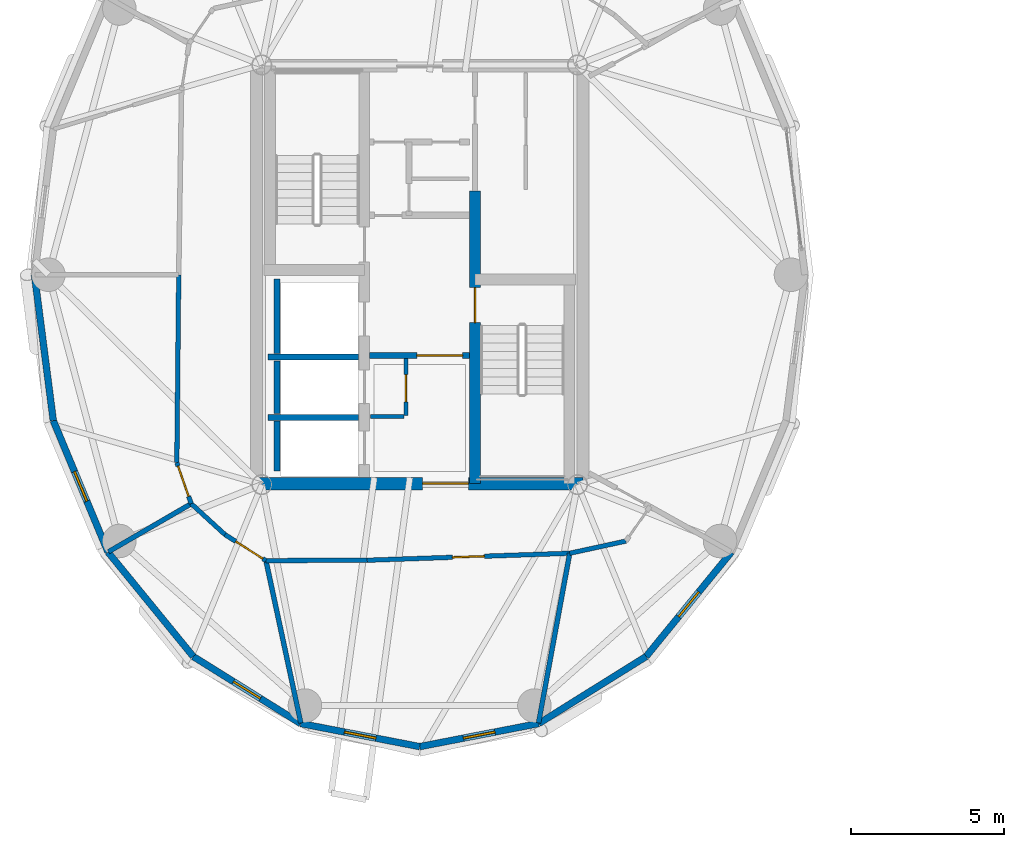
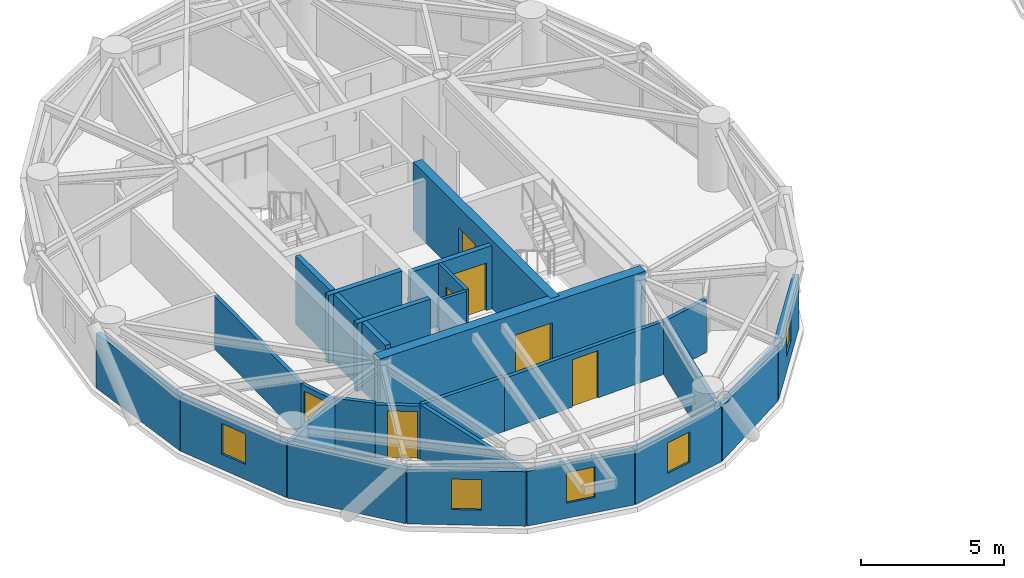
# One storey, part 8 of 16: 28 walls, 7 doors, 5 windows, 12 openings.
"""IFC4 building model written with IfcOpenShell, lengths in metres."""

from ifc_helpers import new_model, si_unit, direction, frame, frame_2d, origin, place, context, subcontext, project, spatial, rectangle, extrude, source, transform, mapped, material, layer, layer_set, type_object, element, fill, save


model = new_model("IFC4")

# Units and contexts
model_context = context("Model", 3, precision=1e-05, world=origin(), true_north=direction((0.0, 1.0)))
body_context = subcontext(model_context, "Body", "Model", "MODEL_VIEW")
ifc_project = project(units=[si_unit("LENGTHUNIT", "METRE"), si_unit("AREAUNIT", "SQUARE_METRE"), si_unit("VOLUMEUNIT", "CUBIC_METRE"), si_unit("PLANEANGLEUNIT", "RADIAN"), si_unit("MASSUNIT", "GRAM", prefix="KILO")], contexts=[model_context])

# Site, building, storey
site_placement = place(None, origin())
site = spatial("IfcSite", under=ifc_project, at=site_placement, CompositionType="ELEMENT")
building_placement = place(site_placement, origin())
building = spatial("IfcBuilding", under=site, at=building_placement, Name="Cununo Teusaquillo Station Towers", CompositionType="ELEMENT")
storey_placement = place(building_placement, frame((0.0, 0.0, 211.2099609375)))
storey = spatial("IfcBuildingStorey", under=building, at=storey_placement, Name="L67", CompositionType="ELEMENT", Elevation=211.2099609375)

# Walls
ifc_material_1 = material(Name="Concrete C50/60", Category="concrete")
ifc_layer_1 = layer(ifc_material_1, 0.199951171875)
ifc_layer_set_1 = layer_set([ifc_layer_1], Name="Concrete C50/60")
wall_type_1 = type_object("IfcWallType", Name="WL-CORE-200", PredefinedType="SHEAR", material=ifc_layer_set_1)
wall_1_placement = place(storey_placement, frame((11.52001953125, 21.800048828125, 0.0), z_axis=(0.0, 0.0, 1.0), x_axis=(1.0, 0.0, 0.0)))
element("IfcWall", 1, at=wall_1_placement, inside=storey, type_object=wall_type_1, Name="L67 Tower A Firefighting Lift Shaft South Shear Wall", PredefinedType="SHEAR", context=body_context, shape_type="SweptSolid", body=[
    extrude(rectangle(XDim=2.969970703125, YDim=0.199951171875, at=frame_2d((1.48486328125, 0.0))), origin(), (0.0, 0.0, 1.0), 2.91015625),
])
wall_2_placement = place(storey_placement, frame((11.820068359375, 21.919921875, 0.0), z_axis=(0.0, 0.0, 1.0), x_axis=(0.0, 1.0, 0.0)))
element("IfcWall", 2, at=wall_2_placement, inside=storey, type_object=wall_type_1, Name="L67 Tower A Firefighting Lift Shaft Rear Shear Wall", PredefinedType="SHEAR", context=body_context, shape_type="SweptSolid", body=[
    extrude(rectangle(XDim=2.440185546875, YDim=0.199951171875, at=frame_2d((1.22021484375, 0.0))), origin(), (0.0, 0.0, 1.0), 2.91015625),
])
wall_3_placement = place(storey_placement, frame((11.52001953125, 19.824951171875, 0.0), z_axis=(0.0, 0.0, 1.0), x_axis=(1.0, 0.0, 0.0)))
element("IfcWall", 3, at=wall_3_placement, inside=storey, type_object=wall_type_1, Name="L67 Tower A High-Rise Lift Hoistway Divider Shear Wall", PredefinedType="SHEAR", context=body_context, shape_type="SweptSolid", body=[
    extrude(rectangle(XDim=2.969970703125, YDim=0.199951171875, at=frame_2d((1.48486328125, 0.0))), origin(), (0.0, 0.0, 1.0), 2.91015625),
])
wall_4_placement = place(storey_placement, frame((11.820068359375, 19.945068359375, 0.0), z_axis=(0.0, 0.0, 1.0), x_axis=(0.0, 1.0, 0.0)))
element("IfcWall", 4, at=wall_4_placement, inside=storey, type_object=wall_type_1, Name="L67 Tower A High-Rise Lift 2 Shaft Rear Shear Wall", PredefinedType="SHEAR", context=body_context, shape_type="SweptSolid", body=[
    extrude(rectangle(XDim=1.73486328125, YDim=0.199951171875, at=frame_2d((0.867431640625, 0.0))), origin(), (0.0, 0.0, 1.0), 2.91015625),
])
wall_5_placement = place(storey_placement, frame((11.820068359375, 18.070068359375, 0.0), z_axis=(0.0, 0.0, 1.0), x_axis=(0.0, 1.0, 0.0)))
element("IfcWall", 5, at=wall_5_placement, inside=storey, type_object=wall_type_1, Name="L67 Tower A High-Rise Lift 1 Shaft Rear Shear Wall", PredefinedType="SHEAR", context=body_context, shape_type="SweptSolid", body=[
    extrude(rectangle(XDim=1.635009765625, YDim=0.199951171875, at=frame_2d((0.8173828125, 0.0))), origin(), (0.0, 0.0, 1.0), 2.91015625),
])

# Wall, opening, door
ifc_material_2 = material(Name="Concrete C50/60", Category="concrete")
ifc_layer_2 = layer(ifc_material_2, 0.35009765625)
ifc_layer_set_2 = layer_set([ifc_layer_2], Name="Concrete C50/60")
wall_type_2 = type_object("IfcWallType", Name="WL-CORE-350", PredefinedType="SHEAR", material=ifc_layer_set_2)
wall_6_placement = place(storey_placement, frame((18.31494140625, 17.64990234375, 0.0), z_axis=(0.0, 0.0, 1.0), x_axis=(0.0, 1.0, 0.0)))
wall_6 = element("IfcWall", 6, at=wall_6_placement, inside=storey, type_object=wall_type_2, Name="L67 Tower A Core Shear Wall IE", PredefinedType="SHEAR", context=body_context, shape_type="SweptSolid", body=[
    extrude(rectangle(XDim=9.60009765625, YDim=0.35009765625, at=frame_2d((4.800048828125, 0.0))), origin(), (0.0, 0.0, 1.0), 2.91015625),
])
shared_shape_1 = source(origin(), body_context, "Body", "SweptSolid", [
    extrude(rectangle(XDim=1.14990234375, YDim=2.02001953125, at=frame_2d((0.574951171875, 1.010009765625))), frame((0.0, 0.18505859375, 0.0), z_axis=(0.0, -1.0, 0.0), x_axis=(1.0, 0.0, 0.0)), (0.0, 0.0, 1.0), 0.3701171875),
])
opening_1_placement = place(wall_6_placement, frame((5.280029296875, 0.0, 0.0)))
opening_1 = element("IfcOpeningElement", 7, at=opening_1_placement, cuts=wall_6, Name="Opening D-ST1", PredefinedType="OPENING", context=body_context, shape_type="MappedRepresentation", body=[
    mapped(shared_shape_1, transform((0.0, 0.0, 0.0), x_axis=(1.0, 0.0, 0.0), y_axis=(0.0, 1.0, 0.0), z_axis=(0.0, 0.0, 1.0), scale=1.0)),
])
ifc_material_3 = material(Name="Galvanised fire-rated hollow steel door assembly", Category="steel")
door_type_1 = type_object("IfcDoorType", Name="DR-STAIR-1150", OperationType="NOTDEFINED", PredefinedType="DOOR", material=ifc_material_3)
shared_shape_2 = source(origin(), body_context, "Body", "SweptSolid", [
    extrude(rectangle(XDim=1.14990234375, YDim=2.02001953125, at=frame_2d((0.574951171875, 1.010009765625))), frame((0.0, 0.02490234375, 0.0), z_axis=(0.0, -1.0, 0.0), x_axis=(1.0, 0.0, 0.0)), (0.0, 0.0, 1.0), 0.050048828125),
])
door_1_placement = place(opening_1_placement, origin())
door_1 = element("IfcDoor", 8, at=door_1_placement, inside=storey, type_object=door_type_1, Name="L67 Tower A Exit Stair 2 Fire Door", OperationType="SINGLE_SWING_LEFT", OverallHeight=2.02001953125, OverallWidth=1.14990234375, PredefinedType="DOOR", context=body_context, shape_type="MappedRepresentation", body=[
    mapped(shared_shape_2, transform((0.0, 0.0, 0.0), x_axis=(1.0, 0.0, 0.0), y_axis=(0.0, 1.0, 0.0), z_axis=(0.0, 0.0, 1.0), scale=1.0)),
])
fill(opening_1, door_1)

ifc_material_4 = material(Name="Concrete C50/60", Category="concrete")
ifc_layer_3 = layer(ifc_material_4, 0.39990234375)
ifc_layer_set_3 = layer_set([ifc_layer_3], Name="Concrete C50/60")
wall_type_3 = type_object("IfcWallType", Name="WL-CORE-400", PredefinedType="SHEAR", material=ifc_layer_set_3)
wall_7_placement = place(storey_placement, frame((11.14990234375, 17.64990234375, 0.0), z_axis=(0.0, 0.0, 1.0), x_axis=(1.0, 0.0, 0.0)))
wall_7 = element("IfcWall", 9, at=wall_7_placement, inside=storey, type_object=wall_type_3, Name="L67 Tower A Core Shear Wall S", PredefinedType="SHEAR", context=body_context, shape_type="SweptSolid", body=[
    extrude(rectangle(XDim=10.7001953125, YDim=0.39990234375, at=frame_2d((5.35009765625, 0.0))), origin(), (0.0, 0.0, 1.0), 2.91015625),
])
shared_shape_3 = source(origin(), body_context, "Body", "SweptSolid", [
    extrude(rectangle(XDim=1.5, YDim=2.02001953125, at=frame_2d((0.75, 1.010009765625))), frame((0.0, 0.2099609375, 0.0), z_axis=(0.0, -1.0, 0.0), x_axis=(1.0, 0.0, 0.0)), (0.0, 0.0, 1.0), 0.419921875),
])
opening_2_placement = place(wall_7_placement, frame((5.449951171875, 0.0, 0.0)))
opening_2 = element("IfcOpeningElement", 10, at=opening_2_placement, cuts=wall_7, Name="Opening D-LB1", PredefinedType="OPENING", context=body_context, shape_type="MappedRepresentation", body=[
    mapped(shared_shape_3, transform((0.0, 0.0, 0.0), x_axis=(1.0, 0.0, 0.0), y_axis=(0.0, 1.0, 0.0), z_axis=(0.0, 0.0, 1.0), scale=1.0)),
])
ifc_material_5 = material(Name="Galvanised fire-rated hollow steel door assembly", Category="steel")
door_type_2 = type_object("IfcDoorType", Name="DR-LOBBY-1500", OperationType="DOUBLE_DOOR_SINGLE_SWING", PredefinedType="DOOR", material=ifc_material_5)
shared_shape_4 = source(origin(), body_context, "Body", "SweptSolid", [
    extrude(rectangle(XDim=1.5, YDim=2.02001953125, at=frame_2d((0.75, 1.010009765625))), frame((0.0, 0.02490234375, 0.0), z_axis=(0.0, -1.0, 0.0), x_axis=(1.0, 0.0, 0.0)), (0.0, 0.0, 1.0), 0.050048828125),
])
door_2_placement = place(opening_2_placement, origin())
door_2 = element("IfcDoor", 11, at=door_2_placement, inside=storey, type_object=door_type_2, Name="L67 Tower A South Core Lift Lobby Door", OperationType="DOUBLE_DOOR_SINGLE_SWING", OverallHeight=2.02001953125, OverallWidth=1.5, PredefinedType="DOOR", context=body_context, shape_type="MappedRepresentation", body=[
    mapped(shared_shape_4, transform((0.0, 0.0, 0.0), x_axis=(1.0, 0.0, 0.0), y_axis=(0.0, 1.0, 0.0), z_axis=(0.0, 0.0, 1.0), scale=1.0)),
])
fill(opening_2, door_2)

# Wall
ifc_material_6 = material(Name="Precast concrete C40/50", Category="concrete")
ifc_layer_4 = layer(ifc_material_6, 0.219970703125)
ifc_layer_set_4 = layer_set([ifc_layer_4], Name="Precast concrete C40/50")
wall_type_4 = type_object("IfcWallType", Name="WL-EXT-220", PredefinedType="SOLIDWALL", material=ifc_layer_set_4)
wall_8_placement = place(storey_placement, frame((4.48828125, 19.719482421875, 0.0), z_axis=(0.0, 0.0, 1.0), x_axis=(-0.128241318541, 0.991742993027, 0.0)))
element("IfcWall", 12, at=wall_8_placement, inside=storey, type_object=wall_type_4, Name="L67 Tower A Exterior Facade Wall C10", PredefinedType="SOLIDWALL", context=body_context, shape_type="SweptSolid", body=[
    extrude(rectangle(XDim=4.8203125, YDim=0.219970703125, at=frame_2d((2.41015625, 0.0))), origin(), (0.0, 0.0, 1.0), 2.322021484375),
])

# Wall, opening, window
wall_9_placement = place(storey_placement, frame((6.281982421875, 15.406982421875, 0.0), z_axis=(0.0, 0.0, 1.0), x_axis=(-0.384036305194, 0.923317993052, 0.0)))
wall_9 = element("IfcWall", 13, at=wall_9_placement, inside=storey, type_object=wall_type_4, Name="L67 Tower A Exterior Facade Wall C11", PredefinedType="SOLIDWALL", context=body_context, shape_type="SweptSolid", body=[
    extrude(rectangle(XDim=4.670654296875, YDim=0.219970703125, at=frame_2d((2.33544921875, 0.0))), origin(), (0.0, 0.0, 1.0), 2.322021484375),
])
shared_shape_5 = source(origin(), body_context, "Body", "SweptSolid", [
    extrude(rectangle(XDim=1.050048828125, YDim=1.300048828125, at=frame_2d((0.52490234375, 0.64990234375))), frame((0.0, 0.119873046875, 0.0), z_axis=(0.0, -1.0, 0.0), x_axis=(1.0, 0.0, 0.0)), (0.0, 0.0, 1.0), 0.239990234375),
])
opening_3_placement = place(wall_9_placement, frame((1.81005859375, 0.0, 0.64990234375)))
opening_3 = element("IfcOpeningElement", 14, at=opening_3_placement, cuts=wall_9, Name="Opening WN-04", PredefinedType="OPENING", context=body_context, shape_type="MappedRepresentation", body=[
    mapped(shared_shape_5, transform((0.0, 0.0, 0.0), x_axis=(1.0, 0.0, 0.0), y_axis=(0.0, 1.0, 0.0), z_axis=(0.0, 0.0, 1.0), scale=1.0)),
])
ifc_material_7 = material(Name="Operable acoustic tinted low-E double glazing", Category="glass")
window_type = type_object("IfcWindowType", Name="WIN-BAL-1050", PartitioningType="SINGLE_PANEL", PredefinedType="WINDOW", material=ifc_material_7)
shared_shape_6 = source(origin(), body_context, "Body", "SweptSolid", [
    extrude(rectangle(XDim=1.050048828125, YDim=1.300048828125, at=frame_2d((0.52490234375, 0.64990234375))), frame((0.0, 0.030029296875, 0.0), z_axis=(0.0, -1.0, 0.0), x_axis=(1.0, 0.0, 0.0)), (0.0, 0.0, 1.0), 0.06005859375),
])
window_1_placement = place(opening_3_placement, origin())
window_1 = element("IfcWindow", 15, at=window_1_placement, inside=storey, type_object=window_type, Name="L67 Tower A Facade Window C11", OverallHeight=1.300048828125, OverallWidth=1.050048828125, PartitioningType="SINGLE_PANEL", PredefinedType="WINDOW", context=body_context, shape_type="MappedRepresentation", body=[
    mapped(shared_shape_6, transform((0.0, 0.0, 0.0), x_axis=(1.0, 0.0, 0.0), y_axis=(0.0, 1.0, 0.0), z_axis=(0.0, 0.0, 1.0), scale=1.0)),
])
fill(opening_3, window_1)

# Wall
wall_10_placement = place(storey_placement, frame((9.076416015625, 11.984619140625, 0.0), z_axis=(0.0, 0.0, 1.0), x_axis=(-0.632467166636, 0.774587169483, 0.0)))
element("IfcWall", 16, at=wall_10_placement, inside=storey, type_object=wall_type_4, Name="L67 Tower A Exterior Facade Wall C12", PredefinedType="SOLIDWALL", context=body_context, shape_type="SweptSolid", body=[
    extrude(rectangle(XDim=4.418212890625, YDim=0.219970703125, at=frame_2d((2.208984375, 0.0))), origin(), (0.0, 0.0, 1.0), 2.322021484375),
])

# Wall, opening, window
wall_11_placement = place(storey_placement, frame((12.59716796875, 9.787109375, 0.0), z_axis=(0.0, 0.0, 1.0), x_axis=(-0.848318713376, 0.529485939886, 0.0)))
wall_11 = element("IfcWall", 17, at=wall_11_placement, inside=storey, type_object=wall_type_4, Name="L67 Tower A Exterior Facade Wall C13", PredefinedType="SOLIDWALL", context=body_context, shape_type="SweptSolid", body=[
    extrude(rectangle(XDim=4.150390625, YDim=0.219970703125, at=frame_2d((2.0751953125, 0.0))), origin(), (0.0, 0.0, 1.0), 2.322021484375),
])
opening_4_placement = place(wall_11_placement, frame((1.550048828125, 0.0, 0.64990234375)))
opening_4 = element("IfcOpeningElement", 18, at=opening_4_placement, cuts=wall_11, Name="Opening WN-04", PredefinedType="OPENING", context=body_context, shape_type="MappedRepresentation", body=[
    mapped(shared_shape_5, transform((0.0, 0.0, 0.0), x_axis=(1.0, 0.0, 0.0), y_axis=(0.0, 1.0, 0.0), z_axis=(0.0, 0.0, 1.0), scale=1.0)),
])
window_2_placement = place(opening_4_placement, origin())
window_2 = element("IfcWindow", 19, at=window_2_placement, inside=storey, type_object=window_type, Name="L67 Tower A Facade Window C13", OverallHeight=1.300048828125, OverallWidth=1.050048828125, PartitioningType="SINGLE_PANEL", PredefinedType="WINDOW", context=body_context, shape_type="MappedRepresentation", body=[
    mapped(shared_shape_6, transform((0.0, 0.0, 0.0), x_axis=(1.0, 0.0, 0.0), y_axis=(0.0, 1.0, 0.0), z_axis=(0.0, 0.0, 1.0), scale=1.0)),
])
fill(opening_4, window_2)

wall_12_placement = place(storey_placement, frame((16.5, 9.030029296875, 0.0), z_axis=(0.0, 0.0, 1.0), x_axis=(-0.981700307484, 0.190432419211, 0.0)))
wall_12 = element("IfcWall", 20, at=wall_12_placement, inside=storey, type_object=wall_type_4, Name="L67 Tower A Exterior Facade Wall C14", PredefinedType="SOLIDWALL", context=body_context, shape_type="SweptSolid", body=[
    extrude(rectangle(XDim=3.9755859375, YDim=0.219970703125, at=frame_2d((1.98779296875, 0.0))), origin(), (0.0, 0.0, 1.0), 2.322021484375),
])
opening_5_placement = place(wall_12_placement, frame((1.462890625, 0.0, 0.64990234375)))
opening_5 = element("IfcOpeningElement", 21, at=opening_5_placement, cuts=wall_12, Name="Opening WN-04", PredefinedType="OPENING", context=body_context, shape_type="MappedRepresentation", body=[
    mapped(shared_shape_5, transform((0.0, 0.0, 0.0), x_axis=(1.0, 0.0, 0.0), y_axis=(0.0, 1.0, 0.0), z_axis=(0.0, 0.0, 1.0), scale=1.0)),
])
window_3_placement = place(opening_5_placement, origin())
window_3 = element("IfcWindow", 22, at=window_3_placement, inside=storey, type_object=window_type, Name="L67 Tower A Facade Window C14", OverallHeight=1.300048828125, OverallWidth=1.050048828125, PartitioningType="SINGLE_PANEL", PredefinedType="WINDOW", context=body_context, shape_type="MappedRepresentation", body=[
    mapped(shared_shape_6, transform((0.0, 0.0, 0.0), x_axis=(1.0, 0.0, 0.0), y_axis=(0.0, 1.0, 0.0), z_axis=(0.0, 0.0, 1.0), scale=1.0)),
])
fill(opening_5, window_3)

wall_13_placement = place(storey_placement, frame((20.40283203125, 9.787109375, 0.0), z_axis=(0.0, 0.0, 1.0), x_axis=(-0.981700307484, -0.190432419211, 0.0)))
wall_13 = element("IfcWall", 23, at=wall_13_placement, inside=storey, type_object=wall_type_4, Name="L67 Tower A Exterior Facade Wall C15", PredefinedType="SOLIDWALL", context=body_context, shape_type="SweptSolid", body=[
    extrude(rectangle(XDim=3.9755859375, YDim=0.219970703125, at=frame_2d((1.98779296875, 0.0))), origin(), (0.0, 0.0, 1.0), 2.322021484375),
])
opening_6_placement = place(wall_13_placement, frame((1.462890625, 0.0, 0.64990234375)))
opening_6 = element("IfcOpeningElement", 24, at=opening_6_placement, cuts=wall_13, Name="Opening WN-04", PredefinedType="OPENING", context=body_context, shape_type="MappedRepresentation", body=[
    mapped(shared_shape_5, transform((0.0, 0.0, 0.0), x_axis=(1.0, 0.0, 0.0), y_axis=(0.0, 1.0, 0.0), z_axis=(0.0, 0.0, 1.0), scale=1.0)),
])
window_4_placement = place(opening_6_placement, origin())
window_4 = element("IfcWindow", 25, at=window_4_placement, inside=storey, type_object=window_type, Name="L67 Tower A Facade Window C15", OverallHeight=1.300048828125, OverallWidth=1.050048828125, PartitioningType="SINGLE_PANEL", PredefinedType="WINDOW", context=body_context, shape_type="MappedRepresentation", body=[
    mapped(shared_shape_6, transform((0.0, 0.0, 0.0), x_axis=(1.0, 0.0, 0.0), y_axis=(0.0, 1.0, 0.0), z_axis=(0.0, 0.0, 1.0), scale=1.0)),
])
fill(opening_6, window_4)

# Wall
wall_14_placement = place(storey_placement, frame((23.923583984375, 11.984619140625, 0.0), z_axis=(0.0, 0.0, 1.0), x_axis=(-0.848318713376, -0.529485939886, 0.0)))
element("IfcWall", 26, at=wall_14_placement, inside=storey, type_object=wall_type_4, Name="L67 Tower A Exterior Facade Wall C16", PredefinedType="SOLIDWALL", context=body_context, shape_type="SweptSolid", body=[
    extrude(rectangle(XDim=4.150390625, YDim=0.219970703125, at=frame_2d((2.0751953125, 0.0))), origin(), (0.0, 0.0, 1.0), 2.322021484375),
])

# Wall, opening, window
wall_15_placement = place(storey_placement, frame((26.718017578125, 15.406982421875, 0.0), z_axis=(0.0, 0.0, 1.0), x_axis=(-0.632467166636, -0.774587169483, 0.0)))
wall_15 = element("IfcWall", 27, at=wall_15_placement, inside=storey, type_object=wall_type_4, Name="L67 Tower A Exterior Facade Wall C17", PredefinedType="SOLIDWALL", context=body_context, shape_type="SweptSolid", body=[
    extrude(rectangle(XDim=4.418212890625, YDim=0.219970703125, at=frame_2d((2.208984375, 0.0))), origin(), (0.0, 0.0, 1.0), 2.322021484375),
])
opening_7_placement = place(wall_15_placement, frame((1.68408203125, 0.0, 0.64990234375)))
opening_7 = element("IfcOpeningElement", 28, at=opening_7_placement, cuts=wall_15, Name="Opening WN-04", PredefinedType="OPENING", context=body_context, shape_type="MappedRepresentation", body=[
    mapped(shared_shape_5, transform((0.0, 0.0, 0.0), x_axis=(1.0, 0.0, 0.0), y_axis=(0.0, 1.0, 0.0), z_axis=(0.0, 0.0, 1.0), scale=1.0)),
])
window_5_placement = place(opening_7_placement, origin())
window_5 = element("IfcWindow", 29, at=window_5_placement, inside=storey, type_object=window_type, Name="L67 Tower A Facade Window C17", OverallHeight=1.300048828125, OverallWidth=1.050048828125, PartitioningType="SINGLE_PANEL", PredefinedType="WINDOW", context=body_context, shape_type="MappedRepresentation", body=[
    mapped(shared_shape_6, transform((0.0, 0.0, 0.0), x_axis=(1.0, 0.0, 0.0), y_axis=(0.0, 1.0, 0.0), z_axis=(0.0, 0.0, 1.0), scale=1.0)),
])
fill(opening_7, window_5)

# Wall, opening, door
ifc_material_8 = material(Name="Fire-rated gypsum plasterboard partition assembly", Category="gypsum")
ifc_layer_5 = layer(ifc_material_8, 0.125)
ifc_layer_set_5 = layer_set([ifc_layer_5], Name="Fire-rated gypsum plasterboard partition assembly")
wall_type_5 = type_object("IfcWallType", Name="WL-PART-125", PredefinedType="PARTITIONING", material=ifc_layer_set_5)
wall_16_placement = place(storey_placement, frame((16.050048828125, 19.8798828125, 0.0), z_axis=(0.0, 0.0, 1.0), x_axis=(0.0, 1.0, 0.0)))
wall_16 = element("IfcWall", 30, at=wall_16_placement, inside=storey, type_object=wall_type_5, Name="L67 Tower A North-West Lobby Store East Wall", PredefinedType="PARTITIONING", context=body_context, shape_type="SweptSolid", body=[
    extrude(rectangle(XDim=1.8701171875, YDim=0.125, at=frame_2d((0.93505859375, 0.0))), origin(), (0.0, 0.0, 1.0), 2.68505859375),
])
shared_shape_7 = source(origin(), body_context, "Body", "SweptSolid", [
    extrude(rectangle(XDim=0.89990234375, YDim=2.0048828125, at=frame_2d((0.449951171875, 1.00244140625))), frame((0.0, 0.072509765625, 0.0), z_axis=(0.0, -1.0, 0.0), x_axis=(1.0, 0.0, 0.0)), (0.0, 0.0, 1.0), 0.14501953125),
])
opening_8_placement = place(wall_16_placement, frame((0.449951171875, 0.0, 0.0)))
opening_8 = element("IfcOpeningElement", 31, at=opening_8_placement, cuts=wall_16, Name="Opening D-SR1", PredefinedType="OPENING", context=body_context, shape_type="MappedRepresentation", body=[
    mapped(shared_shape_7, transform((0.0, 0.0, 0.0), x_axis=(1.0, 0.0, 0.0), y_axis=(0.0, 1.0, 0.0), z_axis=(0.0, 0.0, 1.0), scale=1.0)),
])
ifc_material_9 = material(Name="Galvanised fire-rated hollow steel door assembly", Category="steel")
door_type_3 = type_object("IfcDoorType", Name="DR-STORE-900", OperationType="NOTDEFINED", PredefinedType="DOOR", material=ifc_material_9)
shared_shape_8 = source(origin(), body_context, "Body", "SweptSolid", [
    extrude(rectangle(XDim=0.89990234375, YDim=2.0048828125, at=frame_2d((0.449951171875, 1.00244140625))), frame((0.0, 0.02490234375, 0.0), z_axis=(0.0, -1.0, 0.0), x_axis=(1.0, 0.0, 0.0)), (0.0, 0.0, 1.0), 0.050048828125),
])
door_3_placement = place(opening_8_placement, origin())
door_3 = element("IfcDoor", 32, at=door_3_placement, inside=storey, type_object=door_type_3, Name="L67 Tower A South Lobby Data Store Door", OperationType="SINGLE_SWING_RIGHT", OverallHeight=2.0048828125, OverallWidth=0.89990234375, PredefinedType="DOOR", context=body_context, shape_type="MappedRepresentation", body=[
    mapped(shared_shape_8, transform((0.0, 0.0, 0.0), x_axis=(1.0, 0.0, 0.0), y_axis=(0.0, 1.0, 0.0), z_axis=(0.0, 0.0, 1.0), scale=1.0)),
])
fill(opening_8, door_3)

# Walls
wall_17_placement = place(storey_placement, frame((14.8798828125, 19.85009765625, 0.0), z_axis=(0.0, 0.0, 1.0), x_axis=(1.0, 0.0, 0.0)))
element("IfcWall", 33, at=wall_17_placement, inside=storey, type_object=wall_type_5, Name="L67 Tower A North-West Lobby Store South Wall", PredefinedType="PARTITIONING", context=body_context, shape_type="SweptSolid", body=[
    extrude(rectangle(XDim=1.10009765625, YDim=0.125, at=frame_2d((0.550048828125, 0.0))), origin(), (0.0, 0.0, 1.0), 2.68505859375),
])
ifc_material_10 = material(Name="Fire-rated gypsum plasterboard partition assembly", Category="gypsum")
ifc_layer_6 = layer(ifc_material_10, 0.14990234375)
ifc_layer_set_6 = layer_set([ifc_layer_6], Name="Fire-rated gypsum plasterboard partition assembly")
wall_type_6 = type_object("IfcWallType", Name="WL-PART-150", PredefinedType="PARTITIONING", material=ifc_layer_set_6)
wall_18_placement = place(storey_placement, frame((8.60009765625, 24.5, 0.0), z_axis=(0.0, 0.0, 1.0), x_axis=(-0.010023665349, -0.999949761805, 0.0)))
element("IfcWall", 34, at=wall_18_placement, inside=storey, type_object=wall_type_6, Name="L67 Tower A Corridor Ring Wall C10", PredefinedType="PARTITIONING", context=body_context, shape_type="SweptSolid", body=[
    extrude(rectangle(XDim=6.162109375, YDim=0.14990234375, at=frame_2d((3.0810546875, 0.0))), origin(), (0.0, 0.0, 1.0), 2.255126953125),
])

# Wall, opening, door
wall_19_placement = place(storey_placement, frame((8.538330078125, 18.338134765625, 0.0), z_axis=(0.0, 0.0, 1.0), x_axis=(0.331358150167, -0.94350504838, 0.0)))
wall_19 = element("IfcWall", 35, at=wall_19_placement, inside=storey, type_object=wall_type_6, Name="L67 Tower A Corridor Ring Wall C11", PredefinedType="PARTITIONING", context=body_context, shape_type="SweptSolid", body=[
    extrude(rectangle(XDim=1.42431640625, YDim=0.14990234375, at=frame_2d((0.712158203125, 0.0))), origin(), (0.0, 0.0, 1.0), 2.255126953125),
])
shared_shape_9 = source(origin(), body_context, "Body", "SweptSolid", [
    extrude(rectangle(XDim=1.050048828125, YDim=2.014892578125, at=frame_2d((0.52490234375, 1.00732421875))), frame((0.0, 0.0849609375, 0.0), z_axis=(0.0, -1.0, 0.0), x_axis=(1.0, 0.0, 0.0)), (0.0, 0.0, 1.0), 0.169921875),
])
opening_9_placement = place(wall_19_placement, frame((0.1201171875, 0.0, 0.0)))
opening_9 = element("IfcOpeningElement", 36, at=opening_9_placement, cuts=wall_19, Name="Opening D-SU1", PredefinedType="OPENING", context=body_context, shape_type="MappedRepresentation", body=[
    mapped(shared_shape_9, transform((0.0, 0.0, 0.0), x_axis=(1.0, 0.0, 0.0), y_axis=(0.0, 1.0, 0.0), z_axis=(0.0, 0.0, 1.0), scale=1.0)),
])
ifc_material_11 = material(Name="Acoustic solid-core hardwood leaf assembly", Category="wood")
door_type_4 = type_object("IfcDoorType", Name="DR-SUITE-1050", OperationType="NOTDEFINED", PredefinedType="DOOR", material=ifc_material_11)
shared_shape_10 = source(origin(), body_context, "Body", "SweptSolid", [
    extrude(rectangle(XDim=1.050048828125, YDim=2.014892578125, at=frame_2d((0.52490234375, 1.00732421875))), frame((0.0, 0.02490234375, 0.0), z_axis=(0.0, -1.0, 0.0), x_axis=(1.0, 0.0, 0.0)), (0.0, 0.0, 1.0), 0.050048828125),
])
door_4_placement = place(opening_9_placement, origin())
door_4 = element("IfcDoor", 37, at=door_4_placement, inside=storey, type_object=door_type_4, Name="L67 Tower A Fellows Research Library Entrance Door", OperationType="SINGLE_SWING_LEFT", OverallHeight=2.014892578125, OverallWidth=1.050048828125, PredefinedType="DOOR", context=body_context, shape_type="MappedRepresentation", body=[
    mapped(shared_shape_10, transform((0.0, 0.0, 0.0), x_axis=(1.0, 0.0, 0.0), y_axis=(0.0, 1.0, 0.0), z_axis=(0.0, 0.0, 1.0), scale=1.0)),
])
fill(opening_9, door_4)

# Wall
wall_20_placement = place(storey_placement, frame((9.01025390625, 16.994384765625, 0.0), z_axis=(0.0, 0.0, 1.0), x_axis=(0.737701798986, -0.67512669609, 0.0)))
element("IfcWall", 38, at=wall_20_placement, inside=storey, type_object=wall_type_6, Name="L67 Tower A Corridor Ring Wall C12", PredefinedType="PARTITIONING", context=body_context, shape_type="SweptSolid", body=[
    extrude(rectangle(XDim=1.498291015625, YDim=0.14990234375, at=frame_2d((0.7490234375, 0.0))), origin(), (0.0, 0.0, 1.0), 2.322021484375),
])

# Wall, opening, door
wall_21_placement = place(storey_placement, frame((10.115478515625, 15.98291015625, 0.0), z_axis=(0.0, 0.0, 1.0), x_axis=(0.843995849351, -0.536349705209, 0.0)))
wall_21 = element("IfcWall", 39, at=wall_21_placement, inside=storey, type_object=wall_type_6, Name="L67 Tower A Corridor Ring Wall C13", PredefinedType="PARTITIONING", context=body_context, shape_type="SweptSolid", body=[
    extrude(rectangle(XDim=1.5927734375, YDim=0.14990234375, at=frame_2d((0.79638671875, 0.0))), origin(), (0.0, 0.0, 1.0), 2.255126953125),
])
opening_10_placement = place(wall_21_placement, frame((0.422607421875, 0.0, 0.0)))
opening_10 = element("IfcOpeningElement", 40, at=opening_10_placement, cuts=wall_21, Name="Opening D-SU1", PredefinedType="OPENING", context=body_context, shape_type="MappedRepresentation", body=[
    mapped(shared_shape_9, transform((0.0, 0.0, 0.0), x_axis=(1.0, 0.0, 0.0), y_axis=(0.0, 1.0, 0.0), z_axis=(0.0, 0.0, 1.0), scale=1.0)),
])
door_5_placement = place(opening_10_placement, origin())
door_5 = element("IfcDoor", 41, at=door_5_placement, inside=storey, type_object=door_type_4, Name="L67 Tower A Summit Catering Pantry Entrance Door", OperationType="SINGLE_SWING_RIGHT", OverallHeight=2.014892578125, OverallWidth=1.050048828125, PredefinedType="DOOR", context=body_context, shape_type="MappedRepresentation", body=[
    mapped(shared_shape_10, transform((0.0, 0.0, 0.0), x_axis=(1.0, 0.0, 0.0), y_axis=(0.0, 1.0, 0.0), z_axis=(0.0, 0.0, 1.0), scale=1.0)),
])
fill(opening_10, door_5)

# Wall
wall_22_placement = place(storey_placement, frame((11.459716796875, 15.128662109375, 0.0), z_axis=(0.0, 0.0, 1.0), x_axis=(0.999993513287, 0.003601858435, 0.0)))
element("IfcWall", 42, at=wall_22_placement, inside=storey, type_object=wall_type_6, Name="L67 Tower A Corridor Ring Wall C14", PredefinedType="PARTITIONING", context=body_context, shape_type="SweptSolid", body=[
    extrude(rectangle(XDim=3.3212890625, YDim=0.14990234375, at=frame_2d((1.66064453125, 0.0))), origin(), (0.0, 0.0, 1.0), 2.322021484375),
])

# Wall, opening, door
wall_23_placement = place(storey_placement, frame((14.781005859375, 15.140625, 0.0), z_axis=(0.0, 0.0, 1.0), x_axis=(0.999407918707, 0.034406569513, 0.0)))
wall_23 = element("IfcWall", 43, at=wall_23_placement, inside=storey, type_object=wall_type_6, Name="L67 Tower A Corridor Ring Wall C15", PredefinedType="PARTITIONING", context=body_context, shape_type="SweptSolid", body=[
    extrude(rectangle(XDim=6.6416015625, YDim=0.14990234375, at=frame_2d((3.32080078125, 0.0))), origin(), (0.0, 0.0, 1.0), 2.255126953125),
])
opening_11_placement = place(wall_23_placement, frame((2.7958984375, 0.0, 0.0)))
opening_11 = element("IfcOpeningElement", 44, at=opening_11_placement, cuts=wall_23, Name="Opening D-SU1", PredefinedType="OPENING", context=body_context, shape_type="MappedRepresentation", body=[
    mapped(shared_shape_9, transform((0.0, 0.0, 0.0), x_axis=(1.0, 0.0, 0.0), y_axis=(0.0, 1.0, 0.0), z_axis=(0.0, 0.0, 1.0), scale=1.0)),
])
door_6_placement = place(opening_11_placement, origin())
door_6 = element("IfcDoor", 45, at=door_6_placement, inside=storey, type_object=door_type_4, Name="L67 Tower A Protocol Archive Room Entrance Door", OperationType="SINGLE_SWING_LEFT", OverallHeight=2.014892578125, OverallWidth=1.050048828125, PredefinedType="DOOR", context=body_context, shape_type="MappedRepresentation", body=[
    mapped(shared_shape_10, transform((0.0, 0.0, 0.0), x_axis=(1.0, 0.0, 0.0), y_axis=(0.0, 1.0, 0.0), z_axis=(0.0, 0.0, 1.0), scale=1.0)),
])
fill(opening_11, door_6)

# Walls
wall_24_placement = place(storey_placement, frame((21.418701171875, 15.369140625, 0.0), z_axis=(0.0, 0.0, 1.0), x_axis=(0.977192701953, 0.212354475464, 0.0)))
element("IfcWall", 46, at=wall_24_placement, inside=storey, type_object=wall_type_6, Name="L67 Tower A Corridor Ring Wall C16", PredefinedType="PARTITIONING", context=body_context, shape_type="SweptSolid", body=[
    extrude(rectangle(XDim=1.8876953125, YDim=0.14990234375, at=frame_2d((0.94384765625, 0.0))), origin(), (0.0, 0.0, 1.0), 2.255126953125),
])
ifc_material_12 = material(Name="Fire-rated gypsum plasterboard partition assembly", Category="gypsum")
ifc_layer_7 = layer(ifc_material_12, 0.159912109375)
ifc_layer_set_7 = layer_set([ifc_layer_7], Name="Fire-rated gypsum plasterboard partition assembly")
wall_type_7 = type_object("IfcWallType", Name="WL-PART-160", PredefinedType="PARTITIONING", material=ifc_layer_set_7)
wall_25_placement = place(storey_placement, frame((9.01025390625, 16.994384765625, 0.0), z_axis=(0.0, 0.0, 1.0), x_axis=(-0.864647164532, -0.502379618283, 0.0)))
element("IfcWall", 47, at=wall_25_placement, inside=storey, type_object=wall_type_7, Name="L67 Tower A Radial Suite Partition R06", PredefinedType="PARTITIONING", context=body_context, shape_type="SweptSolid", body=[
    extrude(rectangle(XDim=3.136474609375, YDim=0.159912109375, at=frame_2d((1.568359375, 0.0))), origin(), (0.0, 0.0, 1.0), 2.322021484375),
])
wall_26_placement = place(storey_placement, frame((11.459716796875, 15.128662109375, 0.0), z_axis=(0.0, 0.0, 1.0), x_axis=(0.210058897642, -0.977688733453, 0.0)))
element("IfcWall", 48, at=wall_26_placement, inside=storey, type_object=wall_type_7, Name="L67 Tower A Radial Suite Partition R07", PredefinedType="PARTITIONING", context=body_context, shape_type="SweptSolid", body=[
    extrude(rectangle(XDim=5.444091796875, YDim=0.159912109375, at=frame_2d((2.72216796875, 0.0))), origin(), (0.0, 0.0, 1.0), 2.322021484375),
])
wall_27_placement = place(storey_placement, frame((21.418701171875, 15.369140625, 0.0), z_axis=(0.0, 0.0, 1.0), x_axis=(-0.180685606423, -0.98354090491, 0.0)))
element("IfcWall", 49, at=wall_27_placement, inside=storey, type_object=wall_type_7, Name="L67 Tower A Radial Suite Partition R08", PredefinedType="PARTITIONING", context=body_context, shape_type="SweptSolid", body=[
    extrude(rectangle(XDim=5.656005859375, YDim=0.159912109375, at=frame_2d((2.828125, 0.0))), origin(), (0.0, 0.0, 1.0), 2.322021484375),
])

# Wall, opening, door
ifc_material_13 = material(Name="Fire-rated gypsum plasterboard partition assembly", Category="gypsum")
ifc_layer_8 = layer(ifc_material_13, 0.199951171875)
ifc_layer_set_8 = layer_set([ifc_layer_8], Name="Fire-rated gypsum plasterboard partition assembly")
wall_type_8 = type_object("IfcWallType", Name="WL-PART-200", PredefinedType="PARTITIONING", material=ifc_layer_set_8)
wall_28_placement = place(storey_placement, frame((14.860107421875, 21.85009765625, 0.0), z_axis=(0.0, 0.0, 1.0), x_axis=(1.0, 0.0, 0.0)))
wall_28 = element("IfcWall", 50, at=wall_28_placement, inside=storey, type_object=wall_type_8, Name="L67 Tower A Firefighting Lift Lobby South Fire Wall", PredefinedType="PARTITIONING", context=body_context, shape_type="SweptSolid", body=[
    extrude(rectangle(XDim=3.27978515625, YDim=0.199951171875, at=frame_2d((1.639892578125, 0.0))), origin(), (0.0, 0.0, 1.0), 2.68505859375),
])
shared_shape_11 = source(origin(), body_context, "Body", "SweptSolid", [
    extrude(rectangle(XDim=1.5, YDim=2.02001953125, at=frame_2d((0.75, 1.010009765625))), frame((0.0, 0.10986328125, 0.0), z_axis=(0.0, -1.0, 0.0), x_axis=(1.0, 0.0, 0.0)), (0.0, 0.0, 1.0), 0.219970703125),
])
opening_12_placement = place(wall_28_placement, frame((1.550048828125, 0.0, 0.0)))
opening_12 = element("IfcOpeningElement", 51, at=opening_12_placement, cuts=wall_28, Name="Opening D-LB1", PredefinedType="OPENING", context=body_context, shape_type="MappedRepresentation", body=[
    mapped(shared_shape_11, transform((0.0, 0.0, 0.0), x_axis=(1.0, 0.0, 0.0), y_axis=(0.0, 1.0, 0.0), z_axis=(0.0, 0.0, 1.0), scale=1.0)),
])
door_7_placement = place(opening_12_placement, origin())
door_7 = element("IfcDoor", 52, at=door_7_placement, inside=storey, type_object=door_type_2, Name="L67 Tower A Firefighting Lift Lobby South Fire Door", OperationType="DOUBLE_DOOR_SINGLE_SWING", OverallHeight=2.02001953125, OverallWidth=1.5, PredefinedType="DOOR", context=body_context, shape_type="MappedRepresentation", body=[
    mapped(shared_shape_4, transform((0.0, 0.0, 0.0), x_axis=(1.0, 0.0, 0.0), y_axis=(0.0, 1.0, 0.0), z_axis=(0.0, 0.0, 1.0), scale=1.0)),
])
fill(opening_12, door_7)

save(model, "model.ifc")
